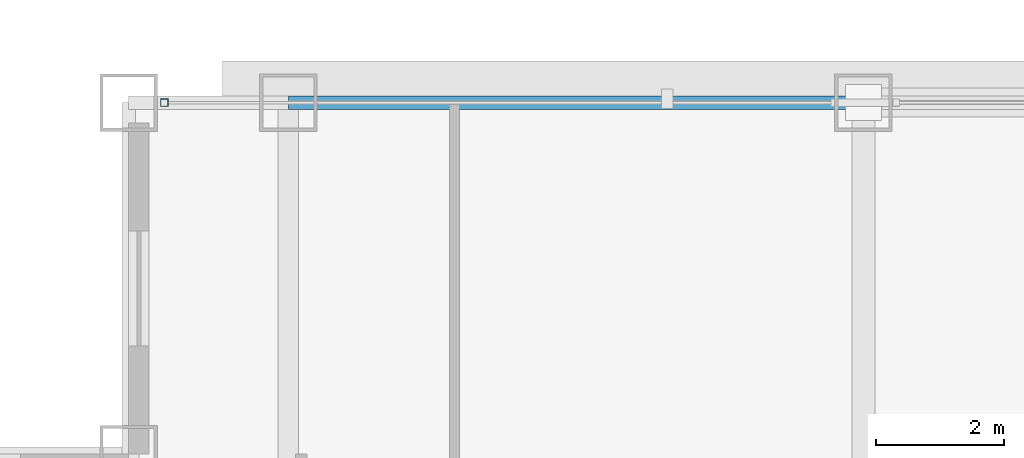
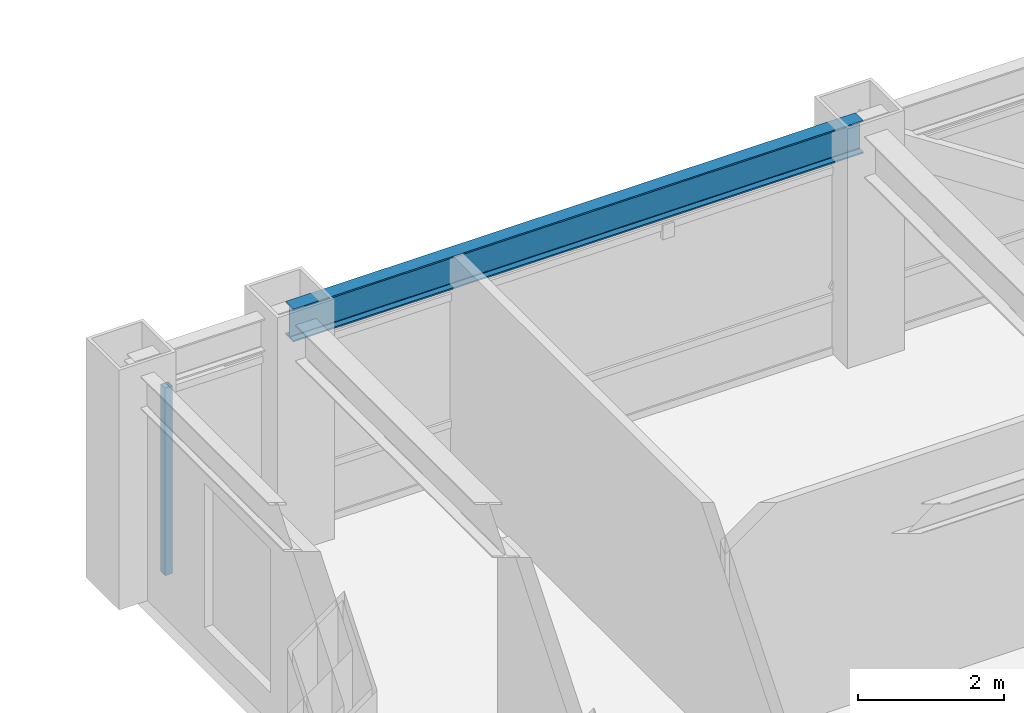
# One storey, part 14 of 29: 1 beam, 1 member, 1 element without a shape of its own.
"""IFC4 building model written with IfcOpenShell, lengths in metres."""

from ifc_helpers import new_model, si_unit, direction, frame, origin, origin_2d, place, context, subcontext, project, spatial, hollow_rectangle, i_section, extrude, source, transform, mapped, material, material_profile, profile_set, type_object, element, aggregate, save


model = new_model("IFC4")

# Units and contexts
model_context = context("Model", 3, precision=1e-05, world=origin(), true_north=direction((0.0, 1.0)))
body_context = subcontext(model_context, "Body", "Model", "MODEL_VIEW")
ifc_project = project(units=[si_unit("LENGTHUNIT", "METRE"), si_unit("AREAUNIT", "SQUARE_METRE"), si_unit("VOLUMEUNIT", "CUBIC_METRE"), si_unit("PLANEANGLEUNIT", "RADIAN"), si_unit("MASSUNIT", "GRAM", prefix="KILO")], contexts=[model_context])

# Site, building, storey
site_placement = place(None, origin())
site = spatial("IfcSite", under=ifc_project, at=site_placement, CompositionType="ELEMENT")
building_placement = place(site_placement, origin())
building = spatial("IfcBuilding", under=site, at=building_placement, Name="Khorayat Bourse Tower", CompositionType="ELEMENT")
storey_placement = place(building_placement, frame((0.0, 0.0, 277.5)))
storey = spatial("IfcBuildingStorey", under=building, at=storey_placement, Name="L65", CompositionType="ELEMENT", Elevation=277.5)

# Beam
ifc_material_1 = material(Name="Steel ASTM A992 Grade 50", Category="steel")
ifc_material_profile_1 = material_profile(ifc_material_1, i_section(OverallWidth=0.214111328125, OverallDepth=0.549072265625, WebThickness=0.0146484375, FlangeThickness=0.023681640625, FilletRadius=0.013916015625, at=origin_2d()), Name="W530X138")
ifc_profile_set_1 = profile_set([ifc_material_profile_1], Name="Steel ASTM A992 Grade 50")
beam_type = type_object("IfcBeamType", Name="BM-SPAN-530", PredefinedType="SPANDREL", material=ifc_profile_set_1)
shared_shape_1 = source(origin(), body_context, "Body", "SweptSolid", [
    extrude(i_section(OverallWidth=0.214111328125, OverallDepth=0.549072265625, WebThickness=0.0146484375, FlangeThickness=0.023681640625, FilletRadius=0.013916015625, at=origin_2d()), origin(), (0.0, 0.0, 1.0), 9.0),
])
beam_placement = place(storey_placement, frame((-20.0, 28.0, 3.505615234375), z_axis=(1.0, 0.0, 0.0), x_axis=(0.0, 1.0, 0.0)))
element("IfcBeam", 1, at=beam_placement, inside=storey, type_object=beam_type, Name="L65 BM-SPAN-530 BM-L65-SPN-050", PredefinedType="SPANDREL", context=body_context, shape_type="MappedRepresentation", body=[
    mapped(shared_shape_1, transform((0.0, 0.0, 0.0), scale=1.0)),
])

# Curtain wall, member
ifc_material_2 = material(Name="Aluminium EN AW-6063 T6", Category="aluminium")
curtain_wall_type = type_object("IfcCurtainWallType", Name="CW-SYS-04", PredefinedType="NOTDEFINED", material=ifc_material_2)
curtain_wall_placement = place(storey_placement, origin())
curtain_wall = element("IfcCurtainWall", 2, at=curtain_wall_placement, inside=storey, type_object=curtain_wall_type, Name="L65 Curtain Wall CW-L65-N1", PredefinedType="NOTDEFINED")
ifc_material_profile_2 = material_profile(ifc_material_2, hollow_rectangle(XDim=0.1201171875, YDim=0.1201171875, WallThickness=0.0048828125, at=origin_2d()), Name="ALU 120x120x5")
ifc_profile_set_2 = profile_set([ifc_material_profile_2], Name="Aluminium EN AW-6063 T6")
member_type = type_object("IfcMemberType", Name="CWM-VERT-120", PredefinedType="MULLION", material=ifc_profile_set_2)
shared_shape_2 = source(origin(), body_context, "Body", "SweptSolid", [
    extrude(hollow_rectangle(XDim=0.1201171875, YDim=0.1201171875, WallThickness=0.0048828125, at=origin_2d()), origin(), (0.0, 0.0, 1.0), 3.1298828125),
])
member_placement = place(storey_placement, frame((-21.93994140625, 28.0, 0.0), z_axis=(0.0, 0.0, 1.0), x_axis=(0.0, 1.0, 0.0)))
member = element("IfcMember", 3, at=member_placement, type_object=member_type, Name="CW-L65-N1 Vertical Mullion 1", PredefinedType="MULLION", context=body_context, shape_type="MappedRepresentation", body=[
    mapped(shared_shape_2, transform((0.0, 0.0, 0.0), scale=1.0)),
])
aggregate(curtain_wall, [member])

save(model, "model.ifc")
